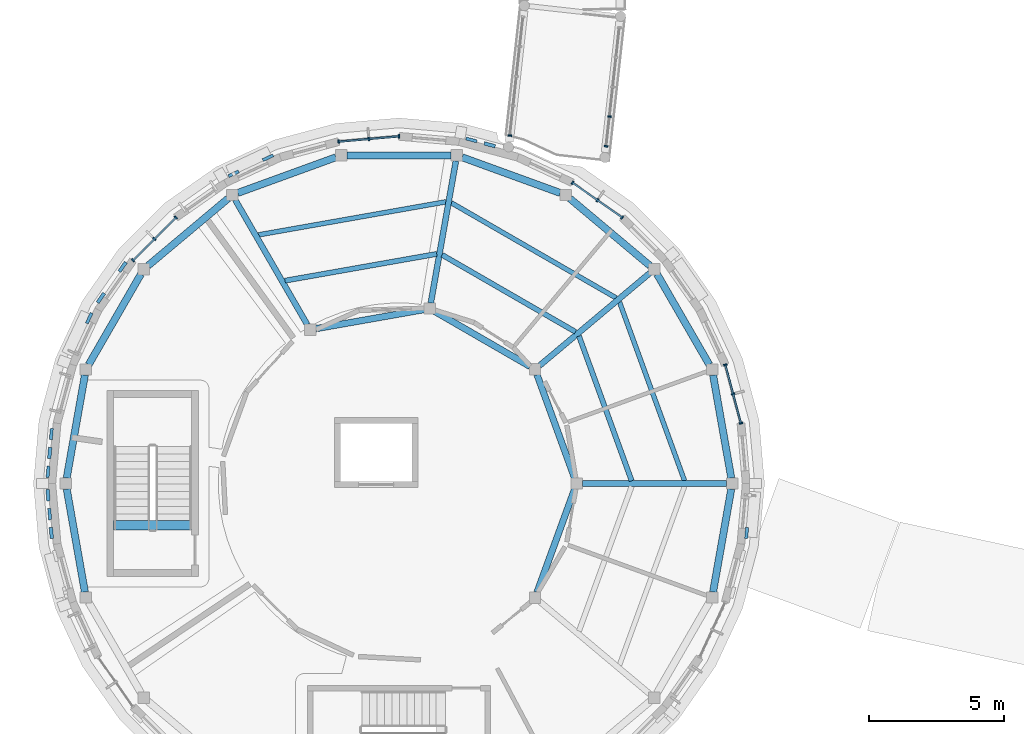
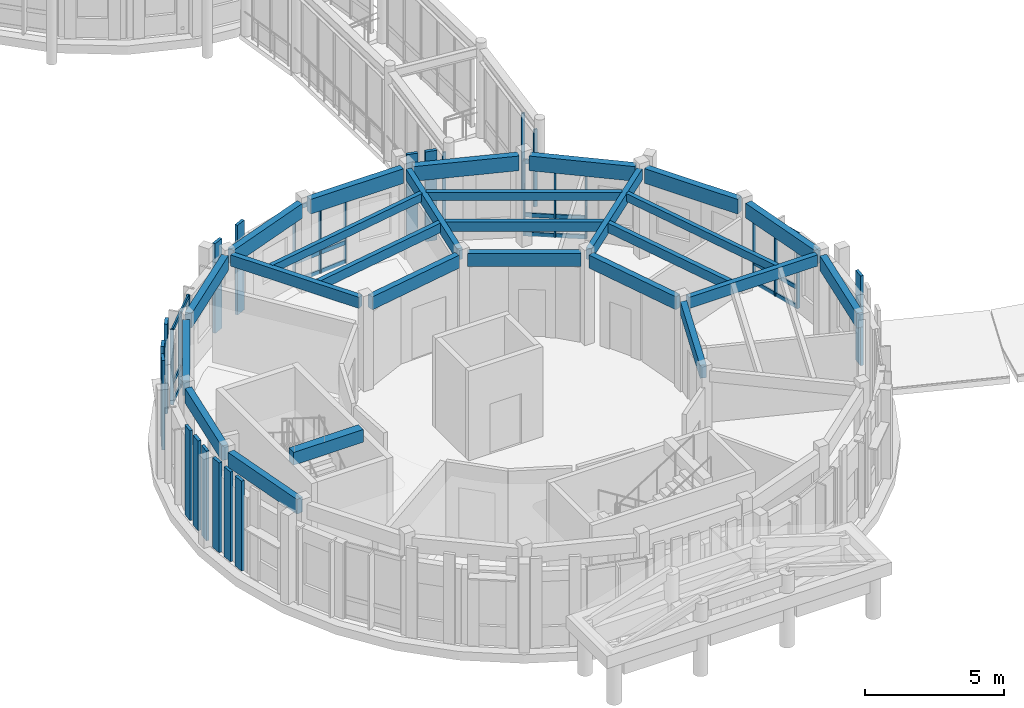
# One storey, part 7 of 80: 41 members, 26 beams, 6 elements without a shape of their own.
"""IFC4 building model written with IfcOpenShell, lengths in metres."""

from ifc_helpers import new_model, si_unit, direction, frame, origin, origin_2d, place, context, subcontext, project, spatial, rectangle, extrude, material, layer, layer_set, material_profile, profile_set, type_object, element, aggregate, save


model = new_model("IFC4")

# Units and contexts
model_context = context("Model", 3, precision=1e-05, world=origin(), true_north=direction((0.0, 1.0)))
body_context = subcontext(model_context, "Body", "Model", "MODEL_VIEW")
ifc_project = project(units=[si_unit("LENGTHUNIT", "METRE"), si_unit("AREAUNIT", "SQUARE_METRE"), si_unit("VOLUMEUNIT", "CUBIC_METRE"), si_unit("PLANEANGLEUNIT", "RADIAN"), si_unit("MASSUNIT", "GRAM", prefix="KILO")], contexts=[model_context])

# Site, building, storey
site_placement = place(None, origin())
site = spatial("IfcSite", under=ifc_project, at=site_placement, CompositionType="ELEMENT")
building_placement = place(site_placement, origin())
building = spatial("IfcBuilding", under=site, at=building_placement, Name="Aldenvaro Health Centre", CompositionType="ELEMENT")
storey_placement = place(building_placement, frame((0.0, 0.0, 4.550048828125)))
storey = spatial("IfcBuildingStorey", under=building, at=storey_placement, Name="L01", CompositionType="ELEMENT", Elevation=4.550048828125)

# Beams
ifc_material_1 = material(Name="Glulam GL28h", Category="wood")
ifc_material_profile_1 = material_profile(ifc_material_1, rectangle(XDim=0.175048828125, YDim=0.35009765625, at=origin_2d()), Name="GL 175x350", Category="wood")
ifc_profile_set_1 = profile_set([ifc_material_profile_1], Name="Glulam GL28h")
beam_type_1 = type_object("IfcBeamType", Name="BM-GL-350", PredefinedType="JOIST", material=ifc_profile_set_1)
beam_1_placement = place(storey_placement, frame((29.10888671875, 18.60107421875, 3.780029296875), z_axis=(-0.342009334008, 0.939696554985, 0.0), x_axis=(-0.939696554985, -0.342009334008, 0.0)))
element("IfcBeam", 1, at=beam_1_placement, inside=storey, type_object=beam_type_1, Name="D5 L01 secondary joist 01.2", PredefinedType="JOIST", context=body_context, shape_type="SweptSolid", body=[
    extrude(rectangle(XDim=0.175048828125, YDim=0.35009765625, at=origin_2d()), origin(), (0.0, 0.0, 1.0), 7.067138671875),
])
beam_2_placement = place(storey_placement, frame((26.56298828125, 25.39697265625, 3.780029296875), z_axis=(-0.866030278967, 0.499991555841, 0.0), x_axis=(-0.499991555841, -0.866030278967, 0.0)))
element("IfcBeam", 2, at=beam_2_placement, inside=storey, type_object=beam_type_1, Name="D5 L01 secondary joist 02.2", PredefinedType="JOIST", context=body_context, shape_type="SweptSolid", body=[
    extrude(rectangle(XDim=0.175048828125, YDim=0.35009765625, at=origin_2d()), origin(), (0.0, 0.0, 1.0), 7.06787109375),
])
beam_3_placement = place(storey_placement, frame((20.242919921875, 28.966064453125, 3.780029296875), z_axis=(-0.984788427089, -0.173757744782, 0.0), x_axis=(0.173757744782, -0.984788427089, 0.0)))
element("IfcBeam", 3, at=beam_3_placement, inside=storey, type_object=beam_type_1, Name="D5 L01 secondary joist 03.2", PredefinedType="JOIST", context=body_context, shape_type="SweptSolid", body=[
    extrude(rectangle(XDim=0.175048828125, YDim=0.35009765625, at=origin_2d()), origin(), (0.0, 0.0, 1.0), 7.0673828125),
])
ifc_material_profile_2 = material_profile(ifc_material_1, rectangle(XDim=0.18994140625, YDim=0.41796875, at=origin_2d()), Name="GL 190x418", Category="wood")
ifc_profile_set_2 = profile_set([ifc_material_profile_2], Name="Glulam GL28h")
beam_type_2 = type_object("IfcBeamType", Name="BM-GL-418", PredefinedType="JOIST", material=ifc_profile_set_2)
beam_4_placement = place(storey_placement, frame((27.14404296875, 18.60107421875, 3.745849609375), z_axis=(-0.341962269954, 0.939713682952, 0.0), x_axis=(-0.939713682952, -0.341962269954, 0.0)))
element("IfcBeam", 4, at=beam_4_placement, inside=storey, type_object=beam_type_2, Name="D5 L01 secondary joist 01.1", PredefinedType="JOIST", context=body_context, shape_type="SweptSolid", body=[
    extrude(rectangle(XDim=0.18994140625, YDim=0.41796875, at=origin_2d()), origin(), (0.0, 0.0, 1.0), 5.722900390625),
])
beam_5_placement = place(storey_placement, frame((25.056884765625, 24.134033203125, 3.745849609375), z_axis=(-0.866037099742, 0.499979741459, 0.0), x_axis=(-0.499979741459, -0.866037099742, 0.0)))
element("IfcBeam", 5, at=beam_5_placement, inside=storey, type_object=beam_type_2, Name="D5 L01 secondary joist 02.1", PredefinedType="JOIST", context=body_context, shape_type="SweptSolid", body=[
    extrude(rectangle(XDim=0.18994140625, YDim=0.41796875, at=origin_2d()), origin(), (0.0, 0.0, 1.0), 5.722412109375),
])
beam_6_placement = place(storey_placement, frame((19.902099609375, 27.030029296875, 3.745849609375), z_axis=(-0.984803303426, -0.173673410634, 0.0), x_axis=(0.173673410634, -0.984803303426, 0.0)))
element("IfcBeam", 6, at=beam_6_placement, inside=storey, type_object=beam_type_2, Name="D5 L01 secondary joist 03.1", PredefinedType="JOIST", context=body_context, shape_type="SweptSolid", body=[
    extrude(rectangle(XDim=0.18994140625, YDim=0.41796875, at=origin_2d()), origin(), (0.0, 0.0, 1.0), 5.72412109375),
])
ifc_material_profile_3 = material_profile(ifc_material_1, rectangle(XDim=0.215087890625, YDim=0.493896484375, at=origin_2d()), Name="GL 215x494", Category="wood")
ifc_profile_set_3 = profile_set([ifc_material_profile_3], Name="Glulam GL28h")
beam_type_3 = type_object("IfcBeamType", Name="BM-GL-494", PredefinedType="BEAM", material=ifc_profile_set_3)
beam_7_placement = place(storey_placement, frame((25.31005859375, 18.5, 3.7080078125), z_axis=(1.0, 0.0, 0.0), x_axis=(0.0, 1.0, 0.0)))
element("IfcBeam", 7, at=beam_7_placement, inside=storey, type_object=beam_type_3, Name="D5 L01 radial beam 01", PredefinedType="BEAM", context=body_context, shape_type="SweptSolid", body=[
    extrude(rectangle(XDim=0.215087890625, YDim=0.493896484375, at=origin_2d()), origin(), (0.0, 0.0, 1.0), 5.35986328125),
])
beam_8_placement = place(storey_placement, frame((23.717041015625, 22.876953125, 3.7080078125), z_axis=(0.765976656763, 0.64286838567, 0.0), x_axis=(-0.64286838567, 0.765976656763, 0.0)))
element("IfcBeam", 8, at=beam_8_placement, inside=storey, type_object=beam_type_3, Name="D5 L01 radial beam 02", PredefinedType="BEAM", context=body_context, shape_type="SweptSolid", body=[
    extrude(rectangle(XDim=0.215087890625, YDim=0.493896484375, at=origin_2d()), origin(), (0.0, 0.0, 1.0), 5.3603515625),
])
beam_9_placement = place(storey_placement, frame((19.681884765625, 25.20703125, 3.7080078125), z_axis=(0.173912660484, 0.984761080935, 0.0), x_axis=(-0.984761080935, 0.173912660484, 0.0)))
element("IfcBeam", 9, at=beam_9_placement, inside=storey, type_object=beam_type_3, Name="D5 L01 radial beam 03", PredefinedType="BEAM", context=body_context, shape_type="SweptSolid", body=[
    extrude(rectangle(XDim=0.215087890625, YDim=0.493896484375, at=origin_2d()), origin(), (0.0, 0.0, 1.0), 5.35986328125),
])
beam_10_placement = place(storey_placement, frame((15.094970703125, 24.39794921875, 3.7080078125), z_axis=(-0.500053686913, 0.865994405412, 0.0), x_axis=(-0.865994405412, -0.500053686913, 0.0)))
element("IfcBeam", 10, at=beam_10_placement, inside=storey, type_object=beam_type_3, Name="D5 L01 radial beam 04", PredefinedType="BEAM", context=body_context, shape_type="SweptSolid", body=[
    extrude(rectangle(XDim=0.215087890625, YDim=0.493896484375, at=origin_2d()), origin(), (0.0, 0.0, 1.0), 5.359375),
])
ifc_material_profile_4 = material_profile(ifc_material_1, rectangle(XDim=0.239990234375, YDim=0.570068359375, at=origin_2d()), Name="GL 240x570", Category="wood")
ifc_profile_set_4 = profile_set([ifc_material_profile_4], Name="Glulam GL28h")
beam_type_4 = type_object("IfcBeamType", Name="BM-GL-570", PredefinedType="BEAM", material=ifc_profile_set_4)
beam_11_placement = place(storey_placement, frame((25.028076171875, 18.697021484375, 3.669921875), z_axis=(-0.341939333629, 0.939722029175, 0.0), x_axis=(-0.939722029175, -0.341939333629, 0.0)))
element("IfcBeam", 11, at=beam_11_placement, inside=storey, type_object=beam_type_4, Name="D5 L01 inner ring beam 01", PredefinedType="BEAM", context=body_context, shape_type="SweptSolid", body=[
    extrude(rectangle(XDim=0.239990234375, YDim=0.570068359375, at=origin_2d()), origin(), (0.0, 0.0, 1.0), 4.0947265625),
])
beam_12_placement = place(storey_placement, frame((23.3740234375, 22.846923828125, 3.669921875), z_axis=(-0.865948274534, 0.500133567991, 0.0), x_axis=(-0.500133567991, -0.865948274534, 0.0)))
element("IfcBeam", 12, at=beam_12_placement, inside=storey, type_object=beam_type_4, Name="D5 L01 inner ring beam 02", PredefinedType="BEAM", context=body_context, shape_type="SweptSolid", body=[
    extrude(rectangle(XDim=0.239990234375, YDim=0.570068359375, at=origin_2d()), origin(), (0.0, 0.0, 1.0), 4.09521484375),
])
beam_13_placement = place(storey_placement, frame((19.43896484375, 24.964111328125, 3.669921875), z_axis=(-0.984757135022, -0.173935002292, 0.0), x_axis=(0.173935002292, -0.984757135022, 0.0)))
element("IfcBeam", 13, at=beam_13_placement, inside=storey, type_object=beam_type_4, Name="D5 L01 inner ring beam 03", PredefinedType="BEAM", context=body_context, shape_type="SweptSolid", body=[
    extrude(rectangle(XDim=0.239990234375, YDim=0.570068359375, at=origin_2d()), origin(), (0.0, 0.0, 1.0), 4.094482421875),
])
beam_14_placement = place(storey_placement, frame((23.6279296875, 14.455078125, 3.669921875), z_axis=(0.341939333629, 0.939722029175, 0.0), x_axis=(-0.939722029175, 0.341939333629, 0.0)))
element("IfcBeam", 14, at=beam_14_placement, inside=storey, type_object=beam_type_4, Name="D5 L01 inner ring beam 05", PredefinedType="BEAM", context=body_context, shape_type="SweptSolid", body=[
    extrude(rectangle(XDim=0.239990234375, YDim=0.570068359375, at=origin_2d()), origin(), (0.0, 0.0, 1.0), 4.0947265625),
])
ifc_material_profile_5 = material_profile(ifc_material_1, rectangle(XDim=0.264892578125, YDim=0.64599609375, at=origin_2d()), Name="GL 265x646", Category="wood")
ifc_profile_set_5 = profile_set([ifc_material_profile_5], Name="Glulam GL28h")
beam_type_5 = type_object("IfcBeamType", Name="BM-GL-646", PredefinedType="SPANDREL", material=ifc_profile_set_5)
for number, where, z_axis, x_axis, name in (
    (15, (30.843994140625, 18.70703125, 3.6318359375), (-0.174015105062, 0.984742983326, 0.0), (-0.984742983326, -0.174015105062, 0.0), "D5 L01 perimeter spandrel 01"),
    (16, (30.028076171875, 22.916015625, 3.6318359375), (-0.499835048925, 0.866120617389, 0.0), (-0.866120617389, -0.499835048925, 0.0), "D5 L01 perimeter spandrel 02"),
    (17, (27.822998046875, 26.593017578125, 3.6318359375), (-0.766148557247, 0.642663510889, 0.0), (-0.642663510889, -0.766148557247, 0.0), "D5 L01 perimeter spandrel 03"),
):
    element("IfcBeam", number, at=place(storey_placement, frame(where, z_axis=z_axis, x_axis=x_axis)), inside=storey, type_object=beam_type_5, Name=name, PredefinedType="SPANDREL", context=body_context, shape_type="SweptSolid", body=[
        extrude(rectangle(XDim=0.264892578125, YDim=0.64599609375, at=origin_2d()), origin(), (0.0, 0.0, 1.0), 3.879150390625),
    ])
beam_15_placement = place(storey_placement, frame((24.492919921875, 29.29296875, 3.6318359375), z_axis=(-0.939683145577, 0.342046175128, 0.0), x_axis=(-0.342046175128, -0.939683145577, 0.0)))
element("IfcBeam", 18, at=beam_15_placement, inside=storey, type_object=beam_type_5, Name="D5 L01 perimeter spandrel 04", PredefinedType="SPANDREL", context=body_context, shape_type="SweptSolid", body=[
    extrude(rectangle(XDim=0.264892578125, YDim=0.64599609375, at=origin_2d()), origin(), (0.0, 0.0, 1.0), 3.880126953125),
])
beam_16_placement = place(storey_placement, frame((20.43994140625, 30.69189453125, 3.6318359375), z_axis=(-1.0, 0.0, 0.0), x_axis=(0.0, -1.0, 0.0)))
element("IfcBeam", 19, at=beam_16_placement, inside=storey, type_object=beam_type_5, Name="D5 L01 perimeter spandrel 05", PredefinedType="SPANDREL", context=body_context, shape_type="SweptSolid", body=[
    extrude(rectangle(XDim=0.264892578125, YDim=0.64599609375, at=origin_2d()), origin(), (0.0, 0.0, 1.0), 3.8798828125),
])
beam_17_placement = place(storey_placement, frame((16.153076171875, 30.6201171875, 3.6318359375), z_axis=(-0.939683145577, -0.342046175128, 0.0), x_axis=(0.342046175128, -0.939683145577, 0.0)))
element("IfcBeam", 20, at=beam_17_placement, inside=storey, type_object=beam_type_5, Name="D5 L01 perimeter spandrel 06", PredefinedType="SPANDREL", context=body_context, shape_type="SweptSolid", body=[
    extrude(rectangle(XDim=0.264892578125, YDim=0.64599609375, at=origin_2d()), origin(), (0.0, 0.0, 1.0), 3.880126953125),
])
for number, where, z_axis, x_axis, name in (
    (21, (12.14892578125, 29.0859375, 3.6318359375), (-0.766148557247, -0.642663510889, 0.0), (0.642663510889, -0.766148557247, 0.0), "D5 L01 perimeter spandrel 07"),
    (22, (8.910888671875, 26.27587890625, 3.6318359375), (-0.499835048925, -0.866120617389, 0.0), (0.866120617389, -0.499835048925, 0.0), "D5 L01 perimeter spandrel 08"),
    (23, (6.8310546875, 22.527099609375, 3.6318359375), (-0.174015105062, -0.984742983326, 0.0), (0.984742983326, -0.174015105062, 0.0), "D5 L01 perimeter spandrel 09"),
    (24, (6.156005859375, 18.29296875, 3.6318359375), (0.174015105062, -0.984742983326, 0.0), (0.984742983326, 0.174015105062, 0.0), "D5 L01 perimeter spandrel 10"),
    (25, (30.1689453125, 14.472900390625, 3.6318359375), (0.174015105062, 0.984742983326, 0.0), (-0.984742983326, 0.174015105062, 0.0), "D5 L01 perimeter spandrel 18"),
):
    element("IfcBeam", number, at=place(storey_placement, frame(where, z_axis=z_axis, x_axis=x_axis)), inside=storey, type_object=beam_type_5, Name=name, PredefinedType="SPANDREL", context=body_context, shape_type="SweptSolid", body=[
        extrude(rectangle(XDim=0.264892578125, YDim=0.64599609375, at=origin_2d()), origin(), (0.0, 0.0, 1.0), 3.879150390625),
    ])
ifc_material_2 = material(Name="Concrete f'c 40 MPa", Category="concrete")
ifc_material_profile_6 = material_profile(ifc_material_2, rectangle(XDim=0.35009765625, YDim=0.56005859375, at=origin_2d()), Name="RC 350x560", Category="concrete")
ifc_profile_set_6 = profile_set([ifc_material_profile_6], Name="Concrete f'c 40 MPa")
beam_type_6 = type_object("IfcBeamType", Name="BM-RC-560", PredefinedType="JOIST", material=ifc_profile_set_6)
beam_18_placement = place(storey_placement, frame((10.800048828125, 16.949951171875, 3.919921875), z_axis=(-1.0, 0.0, 0.0), x_axis=(0.0, -1.0, 0.0)))
element("IfcBeam", 26, at=beam_18_placement, inside=storey, type_object=beam_type_6, Name="ST-09 L02 stair landing trimmer beam", PredefinedType="JOIST", context=body_context, shape_type="SweptSolid", body=[
    extrude(rectangle(XDim=0.35009765625, YDim=0.56005859375, at=origin_2d()), origin(), (0.0, 0.0, 1.0), 2.900146484375),
])

# Curtain wall, members
ifc_material_3 = material(Name="Anodised Aluminium 6063-T6", Category="aluminium")
ifc_layer_1 = layer(ifc_material_3, 0.195068359375, Name="Anodised Aluminium 6063-T6", Category="aluminium")
ifc_layer_set_1 = layer_set([ifc_layer_1], Name="Anodised Aluminium 6063-T6")
curtain_wall_type_1 = type_object("IfcCurtainWallType", Name="CW-CLN-02", PredefinedType="NOTDEFINED", material=ifc_layer_set_1)
curtain_wall_1_placement = place(storey_placement, origin())
curtain_wall_1 = element("IfcCurtainWall", 27, at=curtain_wall_1_placement, inside=storey, type_object=curtain_wall_type_1, Name="D5 L01 curtain wall bay 23", PredefinedType="NOTDEFINED")
ifc_material_profile_7 = material_profile(ifc_material_3, rectangle(XDim=0.06005859375, YDim=0.135009765625, at=origin_2d()), Name="ALU 60x135", Category="aluminium")
ifc_profile_set_7 = profile_set([ifc_material_profile_7], Name="Anodised Aluminium 6063-T6")
member_type_1 = type_object("IfcMemberType", Name="CWM-150", PredefinedType="MULLION", material=ifc_profile_set_7)
member_1_placement = place(storey_placement, frame((8.617919921875, 26.7919921875, 0.0), z_axis=(0.0, 0.0, 1.0), x_axis=(0.707106781187, 0.707106781187, 0.0)))
member_1 = element("IfcMember", 28, at=member_1_placement, type_object=member_type_1, Name="D5 L01 curtain wall bay 23 mullion 1", PredefinedType="MULLION", context=body_context, shape_type="SweptSolid", body=[
    extrude(rectangle(XDim=0.06005859375, YDim=0.135009765625, at=origin_2d()), origin(), (0.0, 0.0, 1.0), 3.308837890625),
])
member_2_placement = place(storey_placement, frame((9.4130859375, 27.5869140625, 0.0), z_axis=(0.0, 0.0, 1.0), x_axis=(0.707106781187, 0.707106781187, 0.0)))
member_2 = element("IfcMember", 29, at=member_2_placement, type_object=member_type_1, Name="D5 L01 curtain wall bay 23 mullion 2", PredefinedType="MULLION", context=body_context, shape_type="SweptSolid", body=[
    extrude(rectangle(XDim=0.06005859375, YDim=0.135009765625, at=origin_2d()), origin(), (0.0, 0.0, 1.0), 3.308837890625),
])
member_3_placement = place(storey_placement, frame((10.2080078125, 28.382080078125, 0.0), z_axis=(0.0, 0.0, 1.0), x_axis=(0.707106781187, 0.707106781187, 0.0)))
member_3 = element("IfcMember", 30, at=member_3_placement, type_object=member_type_1, Name="D5 L01 curtain wall bay 23 mullion 3", PredefinedType="MULLION", context=body_context, shape_type="SweptSolid", body=[
    extrude(rectangle(XDim=0.06005859375, YDim=0.135009765625, at=origin_2d()), origin(), (0.0, 0.0, 1.0), 3.308837890625),
])

curtain_wall_2_placement = place(storey_placement, origin())
curtain_wall_2 = element("IfcCurtainWall", 31, at=curtain_wall_2_placement, inside=storey, type_object=curtain_wall_type_1, Name="D5 L01 curtain wall bay 27", PredefinedType="NOTDEFINED")
member_4_placement = place(storey_placement, frame((16.260009765625, 31.2041015625, 0.0), z_axis=(0.0, 0.0, 1.0), x_axis=(0.996193717495, 0.087166950289, 0.0)))
member_4 = element("IfcMember", 32, at=member_4_placement, type_object=member_type_1, Name="D5 L01 curtain wall bay 27 mullion 1", PredefinedType="MULLION", context=body_context, shape_type="SweptSolid", body=[
    extrude(rectangle(XDim=0.06005859375, YDim=0.135009765625, at=origin_2d()), origin(), (0.0, 0.0, 1.0), 3.308837890625),
])
member_5_placement = place(storey_placement, frame((17.3798828125, 31.302001953125, 0.0), z_axis=(0.0, 0.0, 1.0), x_axis=(0.996193717495, 0.087166950289, 0.0)))
member_5 = element("IfcMember", 33, at=member_5_placement, type_object=member_type_1, Name="D5 L01 curtain wall bay 27 mullion 2", PredefinedType="MULLION", context=body_context, shape_type="SweptSolid", body=[
    extrude(rectangle(XDim=0.06005859375, YDim=0.135009765625, at=origin_2d()), origin(), (0.0, 0.0, 1.0), 3.308837890625),
])
member_6_placement = place(storey_placement, frame((18.5, 31.39990234375, 0.0), z_axis=(0.0, 0.0, 1.0), x_axis=(0.996193717495, 0.087166950289, 0.0)))
member_6 = element("IfcMember", 34, at=member_6_placement, type_object=member_type_1, Name="D5 L01 curtain wall bay 27 mullion 3", PredefinedType="MULLION", context=body_context, shape_type="SweptSolid", body=[
    extrude(rectangle(XDim=0.06005859375, YDim=0.135009765625, at=origin_2d()), origin(), (0.0, 0.0, 1.0), 3.308837890625),
])

curtain_wall_3_placement = place(storey_placement, origin())
curtain_wall_3 = element("IfcCurtainWall", 35, at=curtain_wall_3_placement, inside=storey, type_object=curtain_wall_type_1, Name="D5 L01 curtain wall bay 31", PredefinedType="NOTDEFINED")
member_7_placement = place(storey_placement, frame((24.949951171875, 29.672119140625, 0.0), z_axis=(0.0, 0.0, 1.0), x_axis=(0.819106553991, -0.573641397746, 0.0)))
member_7 = element("IfcMember", 36, at=member_7_placement, type_object=member_type_1, Name="D5 L01 curtain wall bay 31 mullion 1", PredefinedType="MULLION", context=body_context, shape_type="SweptSolid", body=[
    extrude(rectangle(XDim=0.06005859375, YDim=0.135009765625, at=origin_2d()), origin(), (0.0, 0.0, 1.0), 3.308837890625),
])
member_8_placement = place(storey_placement, frame((25.87109375, 29.027099609375, 0.0), z_axis=(0.0, 0.0, 1.0), x_axis=(0.819106553991, -0.573641397746, 0.0)))
member_8 = element("IfcMember", 37, at=member_8_placement, type_object=member_type_1, Name="D5 L01 curtain wall bay 31 mullion 2", PredefinedType="MULLION", context=body_context, shape_type="SweptSolid", body=[
    extrude(rectangle(XDim=0.06005859375, YDim=0.135009765625, at=origin_2d()), origin(), (0.0, 0.0, 1.0), 3.308837890625),
])
member_9_placement = place(storey_placement, frame((26.7919921875, 28.382080078125, 0.0), z_axis=(0.0, 0.0, 1.0), x_axis=(0.819106553991, -0.573641397746, 0.0)))
member_9 = element("IfcMember", 38, at=member_9_placement, type_object=member_type_1, Name="D5 L01 curtain wall bay 31 mullion 3", PredefinedType="MULLION", context=body_context, shape_type="SweptSolid", body=[
    extrude(rectangle(XDim=0.06005859375, YDim=0.135009765625, at=origin_2d()), origin(), (0.0, 0.0, 1.0), 3.308837890625),
])

curtain_wall_4_placement = place(storey_placement, origin())
curtain_wall_4 = element("IfcCurtainWall", 39, at=curtain_wall_4_placement, inside=storey, type_object=curtain_wall_type_1, Name="D5 L01 curtain wall bay 35", PredefinedType="NOTDEFINED")
member_10_placement = place(storey_placement, frame((30.6220703125, 22.912109375, 0.0), z_axis=(0.0, 0.0, 1.0), x_axis=(0.258825000966, -0.9659242304, 0.0)))
member_10 = element("IfcMember", 40, at=member_10_placement, type_object=member_type_1, Name="D5 L01 curtain wall bay 35 mullion 1", PredefinedType="MULLION", context=body_context, shape_type="SweptSolid", body=[
    extrude(rectangle(XDim=0.06005859375, YDim=0.135009765625, at=origin_2d()), origin(), (0.0, 0.0, 1.0), 3.308837890625),
])
member_11_placement = place(storey_placement, frame((30.9130859375, 21.825927734375, 0.0), z_axis=(0.0, 0.0, 1.0), x_axis=(0.258825000966, -0.9659242304, 0.0)))
member_11 = element("IfcMember", 41, at=member_11_placement, type_object=member_type_1, Name="D5 L01 curtain wall bay 35 mullion 2", PredefinedType="MULLION", context=body_context, shape_type="SweptSolid", body=[
    extrude(rectangle(XDim=0.06005859375, YDim=0.135009765625, at=origin_2d()), origin(), (0.0, 0.0, 1.0), 3.308837890625),
])
member_12_placement = place(storey_placement, frame((31.2041015625, 20.739990234375, 0.0), z_axis=(0.0, 0.0, 1.0), x_axis=(0.258825000966, -0.9659242304, 0.0)))
member_12 = element("IfcMember", 42, at=member_12_placement, type_object=member_type_1, Name="D5 L01 curtain wall bay 35 mullion 3", PredefinedType="MULLION", context=body_context, shape_type="SweptSolid", body=[
    extrude(rectangle(XDim=0.06005859375, YDim=0.135009765625, at=origin_2d()), origin(), (0.0, 0.0, 1.0), 3.308837890625),
])

# Curtain wall, member
ifc_layer_2 = layer(ifc_material_3, 0.2099609375, Name="Anodised Aluminium 6063-T6", Category="aluminium")
ifc_layer_set_2 = layer_set([ifc_layer_2], Name="Anodised Aluminium 6063-T6")
curtain_wall_type_2 = type_object("IfcCurtainWallType", Name="CW-BRG-03", PredefinedType="NOTDEFINED", material=ifc_layer_set_2)
curtain_wall_5_placement = place(storey_placement, origin())
curtain_wall_5 = element("IfcCurtainWall", 43, at=curtain_wall_5_placement, inside=storey, type_object=curtain_wall_type_2, Name="West South Curved Garden Walkway Arc 1 L01 glazed link wall L-1.1", PredefinedType="NOTDEFINED")
member_13_placement = place(storey_placement, frame((22.617919921875, 31.426025390625, 0.0), z_axis=(0.0, 0.0, 1.0), x_axis=(0.11038207653, 0.993889227822, 0.0)))
member_13 = element("IfcMember", 44, at=member_13_placement, type_object=member_type_1, Name="West South Curved Garden Walkway Arc 1 L01 glazed link wall L-1.1 mullion 1", PredefinedType="MULLION", context=body_context, shape_type="SweptSolid", body=[
    extrude(rectangle(XDim=0.06005859375, YDim=0.135009765625, at=origin_2d()), origin(), (0.0, 0.0, 1.0), 3.409912109375),
])
aggregate(curtain_wall_5, [member_13])

# Curtain wall, members
curtain_wall_6_placement = place(storey_placement, origin())
curtain_wall_6 = element("IfcCurtainWall", 45, at=curtain_wall_6_placement, inside=storey, type_object=curtain_wall_type_2, Name="West South Curved Garden Walkway Arc 1 L01 glazed link wall R-1.1", PredefinedType="NOTDEFINED")
member_14_placement = place(storey_placement, frame((26.196044921875, 31.029052734375, 0.0), z_axis=(0.0, 0.0, 1.0), x_axis=(0.11038207653, 0.993889227822, 0.0)))
member_14 = element("IfcMember", 46, at=member_14_placement, type_object=member_type_1, Name="West South Curved Garden Walkway Arc 1 L01 glazed link wall R-1.1 mullion 1", PredefinedType="MULLION", context=body_context, shape_type="SweptSolid", body=[
    extrude(rectangle(XDim=0.06005859375, YDim=0.135009765625, at=origin_2d()), origin(), (0.0, 0.0, 1.0), 3.409912109375),
])
member_15_placement = place(storey_placement, frame((26.319091796875, 32.132080078125, 0.0), z_axis=(0.0, 0.0, 1.0), x_axis=(0.11038207653, 0.993889227822, 0.0)))
member_15 = element("IfcMember", 47, at=member_15_placement, type_object=member_type_1, Name="West South Curved Garden Walkway Arc 1 L01 glazed link wall R-1.1 mullion 2", PredefinedType="MULLION", context=body_context, shape_type="SweptSolid", body=[
    extrude(rectangle(XDim=0.06005859375, YDim=0.135009765625, at=origin_2d()), origin(), (0.0, 0.0, 1.0), 3.409912109375),
])
aggregate(curtain_wall_6, [member_14, member_15])

# Member
ifc_material_profile_8 = material_profile(ifc_material_3, rectangle(XDim=0.06494140625, YDim=0.179931640625, at=origin_2d()), Name="ALU 65x180", Category="aluminium")
ifc_profile_set_8 = profile_set([ifc_material_profile_8], Name="Anodised Aluminium 6063-T6")
member_type_2 = type_object("IfcMemberType", Name="CWT-150", PredefinedType="USERDEFINED", material=ifc_profile_set_8)
member_16_placement = place(storey_placement, frame((8.617919921875, 26.7919921875, 0.06005859375), z_axis=(0.707106781187, 0.707106781187, 0.0), x_axis=(-0.707106781187, 0.707106781187, 0.0)))
member_16 = element("IfcMember", 48, at=member_16_placement, type_object=member_type_2, Name="D5 L01 curtain wall bay 23 transom 1", ObjectType="TRANSOM", PredefinedType="USERDEFINED", context=body_context, shape_type="SweptSolid", body=[
    extrude(rectangle(XDim=0.06494140625, YDim=0.179931640625, at=origin_2d()), origin(), (0.0, 0.0, 1.0), 2.248779296875),
])

member_17_placement = place(storey_placement, frame((8.617919921875, 26.7919921875, 0.89990234375), z_axis=(0.707106781187, 0.707106781187, 0.0), x_axis=(-0.707106781187, 0.707106781187, 0.0)))
member_17 = element("IfcMember", 49, at=member_17_placement, type_object=member_type_2, Name="D5 L01 curtain wall bay 23 transom 2", ObjectType="TRANSOM", PredefinedType="USERDEFINED", context=body_context, shape_type="SweptSolid", body=[
    extrude(rectangle(XDim=0.06494140625, YDim=0.179931640625, at=origin_2d()), origin(), (0.0, 0.0, 1.0), 2.248779296875),
])

member_18_placement = place(storey_placement, frame((8.617919921875, 26.7919921875, 3.2490234375), z_axis=(0.707106781187, 0.707106781187, 0.0), x_axis=(-0.707106781187, 0.707106781187, 0.0)))
member_18 = element("IfcMember", 50, at=member_18_placement, type_object=member_type_2, Name="D5 L01 curtain wall bay 23 transom 3", ObjectType="TRANSOM", PredefinedType="USERDEFINED", context=body_context, shape_type="SweptSolid", body=[
    extrude(rectangle(XDim=0.06494140625, YDim=0.179931640625, at=origin_2d()), origin(), (0.0, 0.0, 1.0), 2.248779296875),
])

aggregate(curtain_wall_1, [member_1, member_2, member_3, member_16, member_17, member_18])

member_19_placement = place(storey_placement, frame((16.260009765625, 31.2041015625, 0.06005859375), z_axis=(0.996201374201, 0.087079400775, 0.0), x_axis=(-0.087079400775, 0.996201374201, 0.0)))
member_19 = element("IfcMember", 51, at=member_19_placement, type_object=member_type_2, Name="D5 L01 curtain wall bay 27 transom 1", ObjectType="TRANSOM", PredefinedType="USERDEFINED", context=body_context, shape_type="SweptSolid", body=[
    extrude(rectangle(XDim=0.06494140625, YDim=0.179931640625, at=origin_2d()), origin(), (0.0, 0.0, 1.0), 2.24853515625),
])

member_20_placement = place(storey_placement, frame((16.260009765625, 31.2041015625, 0.89990234375), z_axis=(0.996201374201, 0.087079400775, 0.0), x_axis=(-0.087079400775, 0.996201374201, 0.0)))
member_20 = element("IfcMember", 52, at=member_20_placement, type_object=member_type_2, Name="D5 L01 curtain wall bay 27 transom 2", ObjectType="TRANSOM", PredefinedType="USERDEFINED", context=body_context, shape_type="SweptSolid", body=[
    extrude(rectangle(XDim=0.06494140625, YDim=0.179931640625, at=origin_2d()), origin(), (0.0, 0.0, 1.0), 2.24853515625),
])

member_21_placement = place(storey_placement, frame((16.260009765625, 31.2041015625, 3.2490234375), z_axis=(0.996201374201, 0.087079400775, 0.0), x_axis=(-0.087079400775, 0.996201374201, 0.0)))
member_21 = element("IfcMember", 53, at=member_21_placement, type_object=member_type_2, Name="D5 L01 curtain wall bay 27 transom 3", ObjectType="TRANSOM", PredefinedType="USERDEFINED", context=body_context, shape_type="SweptSolid", body=[
    extrude(rectangle(XDim=0.06494140625, YDim=0.179931640625, at=origin_2d()), origin(), (0.0, 0.0, 1.0), 2.24853515625),
])

aggregate(curtain_wall_2, [member_4, member_5, member_6, member_19, member_20, member_21])

member_22_placement = place(storey_placement, frame((24.949951171875, 29.672119140625, 0.06005859375), z_axis=(0.819104393925, -0.573644482107, 0.0), x_axis=(0.573644482107, 0.819104393925, 0.0)))
member_22 = element("IfcMember", 54, at=member_22_placement, type_object=member_type_2, Name="D5 L01 curtain wall bay 31 transom 1", ObjectType="TRANSOM", PredefinedType="USERDEFINED", context=body_context, shape_type="SweptSolid", body=[
    extrude(rectangle(XDim=0.06494140625, YDim=0.179931640625, at=origin_2d()), origin(), (0.0, 0.0, 1.0), 2.248779296875),
])

member_23_placement = place(storey_placement, frame((24.949951171875, 29.672119140625, 0.89990234375), z_axis=(0.819104393925, -0.573644482107, 0.0), x_axis=(0.573644482107, 0.819104393925, 0.0)))
member_23 = element("IfcMember", 55, at=member_23_placement, type_object=member_type_2, Name="D5 L01 curtain wall bay 31 transom 2", ObjectType="TRANSOM", PredefinedType="USERDEFINED", context=body_context, shape_type="SweptSolid", body=[
    extrude(rectangle(XDim=0.06494140625, YDim=0.179931640625, at=origin_2d()), origin(), (0.0, 0.0, 1.0), 2.248779296875),
])

member_24_placement = place(storey_placement, frame((24.949951171875, 29.672119140625, 3.2490234375), z_axis=(0.819104393925, -0.573644482107, 0.0), x_axis=(0.573644482107, 0.819104393925, 0.0)))
member_24 = element("IfcMember", 56, at=member_24_placement, type_object=member_type_2, Name="D5 L01 curtain wall bay 31 transom 3", ObjectType="TRANSOM", PredefinedType="USERDEFINED", context=body_context, shape_type="SweptSolid", body=[
    extrude(rectangle(XDim=0.06494140625, YDim=0.179931640625, at=origin_2d()), origin(), (0.0, 0.0, 1.0), 2.248779296875),
])

aggregate(curtain_wall_3, [member_7, member_8, member_9, member_22, member_23, member_24])

member_25_placement = place(storey_placement, frame((30.6220703125, 22.912109375, 0.06005859375), z_axis=(0.258824721145, -0.96592430538, 0.0), x_axis=(0.96592430538, 0.258824721145, 0.0)))
member_25 = element("IfcMember", 57, at=member_25_placement, type_object=member_type_2, Name="D5 L01 curtain wall bay 35 transom 1", ObjectType="TRANSOM", PredefinedType="USERDEFINED", context=body_context, shape_type="SweptSolid", body=[
    extrude(rectangle(XDim=0.06494140625, YDim=0.179931640625, at=origin_2d()), origin(), (0.0, 0.0, 1.0), 2.248779296875),
])

member_26_placement = place(storey_placement, frame((30.6220703125, 22.912109375, 0.89990234375), z_axis=(0.258824721145, -0.96592430538, 0.0), x_axis=(0.96592430538, 0.258824721145, 0.0)))
member_26 = element("IfcMember", 58, at=member_26_placement, type_object=member_type_2, Name="D5 L01 curtain wall bay 35 transom 2", ObjectType="TRANSOM", PredefinedType="USERDEFINED", context=body_context, shape_type="SweptSolid", body=[
    extrude(rectangle(XDim=0.06494140625, YDim=0.179931640625, at=origin_2d()), origin(), (0.0, 0.0, 1.0), 2.248779296875),
])

member_27_placement = place(storey_placement, frame((30.6220703125, 22.912109375, 3.2490234375), z_axis=(0.258824721145, -0.96592430538, 0.0), x_axis=(0.96592430538, 0.258824721145, 0.0)))
member_27 = element("IfcMember", 59, at=member_27_placement, type_object=member_type_2, Name="D5 L01 curtain wall bay 35 transom 3", ObjectType="TRANSOM", PredefinedType="USERDEFINED", context=body_context, shape_type="SweptSolid", body=[
    extrude(rectangle(XDim=0.06494140625, YDim=0.179931640625, at=origin_2d()), origin(), (0.0, 0.0, 1.0), 2.248779296875),
])

aggregate(curtain_wall_4, [member_10, member_11, member_12, member_25, member_26, member_27])

# Members
ifc_material_profile_9 = material_profile(ifc_material_1, rectangle(XDim=0.114990234375, YDim=0.419921875, at=origin_2d()), Name="GL 115x420", Category="wood")
ifc_profile_set_9 = profile_set([ifc_material_profile_9], Name="Glulam GL28h")
member_type_3 = type_object("IfcMemberType", Name="MEM-SLT-420A", PredefinedType="POST", material=ifc_profile_set_9)
for number, where, z_axis, x_axis, name in (
    (60, (31.4150390625, 16.6630859375, 0.0), (0.0, 0.0, 1.0), (0.996193717495, -0.087166950289, 0.0), "D5 L01 vertical timber slat 1.3"),
    (61, (5.52392578125, 17.364990234375, 0.0), (0.0, 0.0, 1.0), (-0.996193717495, -0.087166950289, 0.0), "D5 L01 vertical timber slat 18.2"),
    (62, (5.4619140625, 18.93408203125, 0.0), (0.0, 0.0, 1.0), (-0.996193717495, 0.087166950289, 0.0), "D5 L01 vertical timber slat 19.1"),
    (63, (5.5849609375, 20.3369140625, 0.0), (0.0, 0.0, 1.0), (-0.996193717495, 0.087166950289, 0.0), "D5 L01 vertical timber slat 19.3"),
    (64, (6.991943359375, 24.64306640625, 0.0), (0.0, 0.0, 1.0), (-0.906364844733, 0.422495879545, 0.0), "D5 L01 vertical timber slat 21.3"),
    (65, (12.35693359375, 30.008056640625, 0.0), (0.0, 0.0, 1.0), (-0.422495879545, 0.906364844733, 0.0), "D5 L01 vertical timber slat 25.1"),
    (66, (13.633056640625, 30.60302734375, 0.0), (0.0, 0.0, 1.0), (-0.422495879545, 0.906364844733, 0.0), "D5 L01 vertical timber slat 25.3"),
    (67, (21.19091796875, 31.263916015625, 0.0), (0.0, 0.0, 1.0), (0.258825000966, 0.9659242304, 0.0), "D5 L01 vertical timber slat 29.1"),
):
    element("IfcMember", number, at=place(storey_placement, frame(where, z_axis=z_axis, x_axis=x_axis)), inside=storey, type_object=member_type_3, Name=name, PredefinedType="POST", context=body_context, shape_type="SweptSolid", body=[
        extrude(rectangle(XDim=0.114990234375, YDim=0.419921875, at=origin_2d()), origin(), (0.0, 0.0, 1.0), 3.954833984375),
    ])
ifc_material_profile_10 = material_profile(ifc_material_1, rectangle(XDim=0.1298828125, YDim=0.419921875, at=origin_2d()), Name="GL 130x420", Category="wood")
ifc_profile_set_10 = profile_set([ifc_material_profile_10], Name="Glulam GL28h")
member_type_4 = type_object("IfcMemberType", Name="MEM-SLT-420B", PredefinedType="POST", material=ifc_profile_set_10)
for number, where, z_axis, x_axis, name in (
    (68, (5.5849609375, 16.6630859375, 0.0), (0.0, 0.0, 1.0), (-0.996193717495, -0.087166950289, 0.0), "D5 L01 vertical timber slat 18.1"),
    (69, (5.4619140625, 18.06591796875, 0.0), (0.0, 0.0, 1.0), (-0.996193717495, -0.087166950289, 0.0), "D5 L01 vertical timber slat 18.3"),
    (70, (5.52392578125, 19.635009765625, 0.0), (0.0, 0.0, 1.0), (-0.996193717495, 0.087166950289, 0.0), "D5 L01 vertical timber slat 19.2"),
    (71, (7.426025390625, 25.39404296875, 0.0), (0.0, 0.0, 1.0), (-0.819106553991, 0.573641397746, 0.0), "D5 L01 vertical timber slat 22.1"),
    (72, (8.23388671875, 26.548095703125, 0.0), (0.0, 0.0, 1.0), (-0.819106553991, 0.573641397746, 0.0), "D5 L01 vertical timber slat 22.3"),
    (73, (21.87109375, 31.08203125, 0.0), (0.0, 0.0, 1.0), (0.258825000966, 0.9659242304, 0.0), "D5 L01 vertical timber slat 29.2"),
):
    element("IfcMember", number, at=place(storey_placement, frame(where, z_axis=z_axis, x_axis=x_axis)), inside=storey, type_object=member_type_4, Name=name, PredefinedType="POST", context=body_context, shape_type="SweptSolid", body=[
        extrude(rectangle(XDim=0.1298828125, YDim=0.419921875, at=origin_2d()), origin(), (0.0, 0.0, 1.0), 3.954833984375),
    ])

save(model, "model.ifc")
